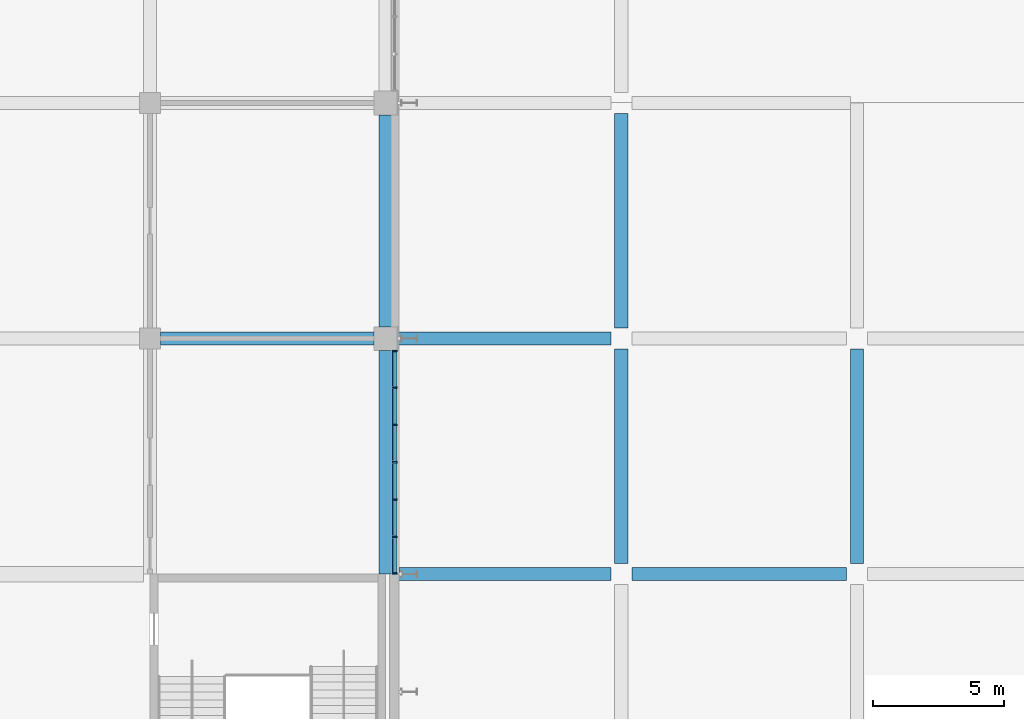
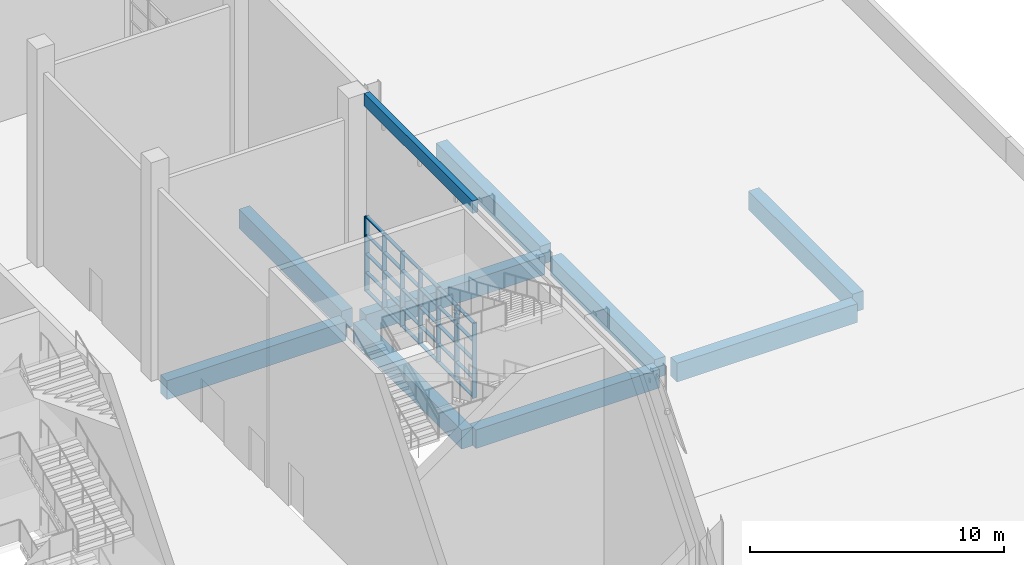
# One storey, part 54 of 182: 37 members, 10 beams, 1 element without a shape of its own.
"""IFC4 building model written with IfcOpenShell, lengths in metres."""

from ifc_helpers import new_model, si_unit, direction, frame, origin, origin_2d, place, context, subcontext, project, spatial, rectangle, extrude, material, material_profile, profile_set, type_object, element, aggregate, save


model = new_model("IFC4")

# Units and contexts
model_context = context("Model", 3, precision=1e-05, world=origin(), true_north=direction((0.0, 1.0)))
body_context = subcontext(model_context, "Body", "Model", "MODEL_VIEW")
ifc_project = project(units=[si_unit("LENGTHUNIT", "METRE"), si_unit("AREAUNIT", "SQUARE_METRE"), si_unit("VOLUMEUNIT", "CUBIC_METRE"), si_unit("PLANEANGLEUNIT", "RADIAN"), si_unit("MASSUNIT", "GRAM", prefix="KILO")], contexts=[model_context])

# Site, building, storey
site_placement = place(None, origin())
site = spatial("IfcSite", under=ifc_project, at=site_placement, CompositionType="ELEMENT")
building_placement = place(site_placement, origin())
building = spatial("IfcBuilding", under=site, at=building_placement, Name="Silverbay Arena", CompositionType="ELEMENT")
storey_placement = place(building_placement, frame((0.0, 0.0, 11.5)))
storey = spatial("IfcBuildingStorey", under=building, at=storey_placement, Name="L02", CompositionType="ELEMENT", Elevation=11.5)

# Curtain wall, members
ifc_material_1 = material(Name="Aluminium framed curtain wall", Category="aluminium")
curtain_wall_type = type_object("IfcCurtainWallType", Name="Curtain wall 8550 x 3600", PredefinedType="NOTDEFINED", material=ifc_material_1)
curtain_wall_placement = place(storey_placement, origin())
curtain_wall = element("IfcCurtainWall", 1, at=curtain_wall_placement, inside=storey, type_object=curtain_wall_type, Name="East curtain wall L02 bay 11", PredefinedType="NOTDEFINED")
ifc_material_2 = material(Name="Aluminium", Category="aluminium")
ifc_material_profile_1 = material_profile(ifc_material_2, rectangle(XDim=0.199951171875, YDim=0.06005859375, at=origin_2d()), Name="Mullion 60 x 200")
ifc_profile_set_1 = profile_set([ifc_material_profile_1], Name="Aluminium")
member_type_1 = type_object("IfcMemberType", Name="Mullion 60 x 200", PredefinedType="MULLION", material=ifc_profile_set_1)
member_1_placement = place(storey_placement, frame((207.35009765625, 108.030029296875, 1.0), z_axis=(0.0, 0.0, 1.0), x_axis=(-1.0, 0.0, 0.0)))
member_1 = element("IfcMember", 2, at=member_1_placement, type_object=member_type_1, Name="CW10 mullion 1", PredefinedType="MULLION", context=body_context, shape_type="SweptSolid", body=[
    extrude(rectangle(XDim=0.199951171875, YDim=0.06005859375, at=origin_2d()), origin(), (0.0, 0.0, 1.0), 3.60009765625),
])
member_2_placement = place(storey_placement, frame((207.35009765625, 109.425048828125, 1.0), z_axis=(0.0, 0.0, 1.0), x_axis=(-1.0, 0.0, 0.0)))
member_2 = element("IfcMember", 3, at=member_2_placement, type_object=member_type_1, Name="CW10 mullion 2", PredefinedType="MULLION", context=body_context, shape_type="SweptSolid", body=[
    extrude(rectangle(XDim=0.199951171875, YDim=0.06005859375, at=origin_2d()), origin(), (0.0, 0.0, 1.0), 3.60009765625),
])
member_3_placement = place(storey_placement, frame((207.35009765625, 110.85009765625, 1.0), z_axis=(0.0, 0.0, 1.0), x_axis=(-1.0, 0.0, 0.0)))
member_3 = element("IfcMember", 4, at=member_3_placement, type_object=member_type_1, Name="CW10 mullion 3", PredefinedType="MULLION", context=body_context, shape_type="SweptSolid", body=[
    extrude(rectangle(XDim=0.199951171875, YDim=0.06005859375, at=origin_2d()), origin(), (0.0, 0.0, 1.0), 3.60009765625),
])
member_4_placement = place(storey_placement, frame((207.35009765625, 112.27490234375, 1.0), z_axis=(0.0, 0.0, 1.0), x_axis=(-1.0, 0.0, 0.0)))
member_4 = element("IfcMember", 5, at=member_4_placement, type_object=member_type_1, Name="CW10 mullion 4", PredefinedType="MULLION", context=body_context, shape_type="SweptSolid", body=[
    extrude(rectangle(XDim=0.199951171875, YDim=0.06005859375, at=origin_2d()), origin(), (0.0, 0.0, 1.0), 3.60009765625),
])
member_5_placement = place(storey_placement, frame((207.35009765625, 113.699951171875, 1.0), z_axis=(0.0, 0.0, 1.0), x_axis=(-1.0, 0.0, 0.0)))
member_5 = element("IfcMember", 6, at=member_5_placement, type_object=member_type_1, Name="CW10 mullion 5", PredefinedType="MULLION", context=body_context, shape_type="SweptSolid", body=[
    extrude(rectangle(XDim=0.199951171875, YDim=0.06005859375, at=origin_2d()), origin(), (0.0, 0.0, 1.0), 3.60009765625),
])
member_6_placement = place(storey_placement, frame((207.35009765625, 115.125, 1.0), z_axis=(0.0, 0.0, 1.0), x_axis=(-1.0, 0.0, 0.0)))
member_6 = element("IfcMember", 7, at=member_6_placement, type_object=member_type_1, Name="CW10 mullion 6", PredefinedType="MULLION", context=body_context, shape_type="SweptSolid", body=[
    extrude(rectangle(XDim=0.199951171875, YDim=0.06005859375, at=origin_2d()), origin(), (0.0, 0.0, 1.0), 3.60009765625),
])
member_7_placement = place(storey_placement, frame((207.35009765625, 116.52001953125, 1.0), z_axis=(0.0, 0.0, 1.0), x_axis=(-1.0, 0.0, 0.0)))
member_7 = element("IfcMember", 8, at=member_7_placement, type_object=member_type_1, Name="CW10 mullion 7", PredefinedType="MULLION", context=body_context, shape_type="SweptSolid", body=[
    extrude(rectangle(XDim=0.199951171875, YDim=0.06005859375, at=origin_2d()), origin(), (0.0, 0.0, 1.0), 3.60009765625),
])

# Beams
ifc_material_3 = material(Name="Concrete Grade C45", Category="concrete")
ifc_material_profile_2 = material_profile(ifc_material_3, rectangle(XDim=0.5, YDim=0.89990234375, at=origin_2d()), Name="RC 500x900")
ifc_profile_set_2 = profile_set([ifc_material_profile_2], Name="Concrete Grade C45")
beam_type_1 = type_object("IfcBeamType", Name="RC beam 500x900", PredefinedType="BEAM", material=ifc_profile_set_2)
beam_1_placement = place(storey_placement, frame((207.25, 108.0, -0.800048828125), z_axis=(1.0, 0.0, 0.0), x_axis=(0.0, 1.0, 0.0)))
element("IfcBeam", 9, at=beam_1_placement, inside=storey, type_object=beam_type_1, Name="Floor beam L02 133", PredefinedType="BEAM", context=body_context, shape_type="SweptSolid", body=[
    extrude(rectangle(XDim=0.5, YDim=0.89990234375, at=origin_2d()), origin(), (0.0, 0.0, 1.0), 8.35009765625),
])
beam_2_placement = place(storey_placement, frame((216.39990234375, 108.0, -0.800048828125), z_axis=(1.0, 0.0, 0.0), x_axis=(0.0, 1.0, 0.0)))
element("IfcBeam", 10, at=beam_2_placement, inside=storey, type_object=beam_type_1, Name="Floor beam L02 134", PredefinedType="BEAM", context=body_context, shape_type="SweptSolid", body=[
    extrude(rectangle(XDim=0.5, YDim=0.89990234375, at=origin_2d()), origin(), (0.0, 0.0, 1.0), 8.2001953125),
])
for number, where, z_axis, x_axis, name in (
    (11, (198.39990234375, 117.0, -0.800048828125), (1.0, 0.0, 0.0), (0.0, 1.0, 0.0), "Floor beam L02 151"),
    (12, (207.449951171875, 117.0, -0.800048828125), (1.0, 0.0, 0.0), (0.0, 1.0, 0.0), "Floor beam L02 152"),
):
    element("IfcBeam", number, at=place(storey_placement, frame(where, z_axis=z_axis, x_axis=x_axis)), inside=storey, type_object=beam_type_1, Name=name, PredefinedType="BEAM", context=body_context, shape_type="SweptSolid", body=[
        extrude(rectangle(XDim=0.5, YDim=0.89990234375, at=origin_2d()), origin(), (0.0, 0.0, 1.0), 8.150146484375),
    ])
beam_3_placement = place(storey_placement, frame((207.0, 108.0, -0.800048828125), z_axis=(0.0, 1.0, 0.0), x_axis=(-1.0, 0.0, 0.0)))
element("IfcBeam", 13, at=beam_3_placement, inside=storey, type_object=beam_type_1, Name="Floor beam L02 328", PredefinedType="BEAM", context=body_context, shape_type="SweptSolid", body=[
    extrude(rectangle(XDim=0.5, YDim=0.89990234375, at=origin_2d()), origin(), (0.0, 0.0, 1.0), 8.550048828125),
])
beam_4_placement = place(storey_placement, frame((207.0, 117.449951171875, -0.800048828125), z_axis=(0.0, 1.0, 0.0), x_axis=(-1.0, 0.0, 0.0)))
element("IfcBeam", 14, at=beam_4_placement, inside=storey, type_object=beam_type_1, Name="Floor beam L02 329", PredefinedType="BEAM", context=body_context, shape_type="SweptSolid", body=[
    extrude(rectangle(XDim=0.5, YDim=0.89990234375, at=origin_2d()), origin(), (0.0, 0.0, 1.0), 8.10009765625),
])
for number, where, z_axis, x_axis, name in (
    (15, (216.0, 108.39990234375, -0.800048828125), (0.0, 1.0, 0.0), (-1.0, 0.0, 0.0), "Floor beam L02 341"),
    (16, (216.0, 117.39990234375, -0.800048828125), (0.0, 1.0, 0.0), (-1.0, 0.0, 0.0), "Floor beam L02 342"),
    (17, (225.0, 108.39990234375, -0.800048828125), (0.0, 1.0, 0.0), (-1.0, 0.0, 0.0), "Floor beam L02 353"),
):
    element("IfcBeam", number, at=place(storey_placement, frame(where, z_axis=z_axis, x_axis=x_axis)), inside=storey, type_object=beam_type_1, Name=name, PredefinedType="BEAM", context=body_context, shape_type="SweptSolid", body=[
        extrude(rectangle(XDim=0.5, YDim=0.89990234375, at=origin_2d()), origin(), (0.0, 0.0, 1.0), 8.2001953125),
    ])
ifc_material_4 = material(Name="Concrete Grade C45", Category="concrete")
ifc_material_profile_3 = material_profile(ifc_material_4, rectangle(XDim=0.25, YDim=0.60009765625, at=origin_2d()), Name="RC 250x600")
ifc_profile_set_3 = profile_set([ifc_material_profile_3], Name="Concrete Grade C45")
beam_type_2 = type_object("IfcBeamType", Name="RC facade beam 250x600", PredefinedType="SPANDREL", material=ifc_profile_set_3)
beam_5_placement = place(storey_placement, frame((207.375, 108.0, 10.199951171875), z_axis=(0.0, 1.0, 0.0), x_axis=(-1.0, 0.0, 0.0)))
element("IfcBeam", 18, at=beam_5_placement, inside=storey, type_object=beam_type_2, Name="Facade beam L02 east", PredefinedType="SPANDREL", context=body_context, shape_type="SweptSolid", body=[
    extrude(rectangle(XDim=0.25, YDim=0.60009765625, at=origin_2d()), origin(), (0.0, 0.0, 1.0), 8.550048828125),
])

# Member
ifc_material_5 = material(Name="Aluminium", Category="aluminium")
ifc_material_profile_4 = material_profile(ifc_material_5, rectangle(XDim=0.14990234375, YDim=0.050048828125, at=origin_2d()), Name="Transom 50 x 150")
ifc_profile_set_4 = profile_set([ifc_material_profile_4], Name="Aluminium")
member_type_2 = type_object("IfcMemberType", Name="Transom 50 x 150", PredefinedType="USERDEFINED", material=ifc_profile_set_4)
member_8_placement = place(storey_placement, frame((207.35009765625, 108.06005859375, 1.02490234375), z_axis=(0.0, 1.0, 0.0), x_axis=(-1.0, 0.0, 0.0)))
member_8 = element("IfcMember", 19, at=member_8_placement, type_object=member_type_2, Name="CW10 transom 1.1", ObjectType="TRANSOM", PredefinedType="USERDEFINED", context=body_context, shape_type="SweptSolid", body=[
    extrude(rectangle(XDim=0.14990234375, YDim=0.050048828125, at=origin_2d()), origin(), (0.0, 0.0, 1.0), 1.3349609375),
])

member_9_placement = place(storey_placement, frame((207.35009765625, 108.06005859375, 1.89990234375), z_axis=(0.0, 1.0, 0.0), x_axis=(-1.0, 0.0, 0.0)))
member_9 = element("IfcMember", 20, at=member_9_placement, type_object=member_type_2, Name="CW10 transom 1.2", ObjectType="TRANSOM", PredefinedType="USERDEFINED", context=body_context, shape_type="SweptSolid", body=[
    extrude(rectangle(XDim=0.14990234375, YDim=0.050048828125, at=origin_2d()), origin(), (0.0, 0.0, 1.0), 1.3349609375),
])

member_10_placement = place(storey_placement, frame((207.35009765625, 108.06005859375, 2.800048828125), z_axis=(0.0, 1.0, 0.0), x_axis=(-1.0, 0.0, 0.0)))
member_10 = element("IfcMember", 21, at=member_10_placement, type_object=member_type_2, Name="CW10 transom 1.3", ObjectType="TRANSOM", PredefinedType="USERDEFINED", context=body_context, shape_type="SweptSolid", body=[
    extrude(rectangle(XDim=0.14990234375, YDim=0.050048828125, at=origin_2d()), origin(), (0.0, 0.0, 1.0), 1.3349609375),
])

member_11_placement = place(storey_placement, frame((207.35009765625, 108.06005859375, 3.699951171875), z_axis=(0.0, 1.0, 0.0), x_axis=(-1.0, 0.0, 0.0)))
member_11 = element("IfcMember", 22, at=member_11_placement, type_object=member_type_2, Name="CW10 transom 1.4", ObjectType="TRANSOM", PredefinedType="USERDEFINED", context=body_context, shape_type="SweptSolid", body=[
    extrude(rectangle(XDim=0.14990234375, YDim=0.050048828125, at=origin_2d()), origin(), (0.0, 0.0, 1.0), 1.3349609375),
])

member_12_placement = place(storey_placement, frame((207.35009765625, 108.06005859375, 4.574951171875), z_axis=(0.0, 1.0, 0.0), x_axis=(-1.0, 0.0, 0.0)))
member_12 = element("IfcMember", 23, at=member_12_placement, type_object=member_type_2, Name="CW10 transom 1.5", ObjectType="TRANSOM", PredefinedType="USERDEFINED", context=body_context, shape_type="SweptSolid", body=[
    extrude(rectangle(XDim=0.14990234375, YDim=0.050048828125, at=origin_2d()), origin(), (0.0, 0.0, 1.0), 1.3349609375),
])

member_13_placement = place(storey_placement, frame((207.35009765625, 109.455078125, 1.02490234375), z_axis=(0.0, 1.0, 0.0), x_axis=(-1.0, 0.0, 0.0)))
member_13 = element("IfcMember", 24, at=member_13_placement, type_object=member_type_2, Name="CW10 transom 2.1", ObjectType="TRANSOM", PredefinedType="USERDEFINED", context=body_context, shape_type="SweptSolid", body=[
    extrude(rectangle(XDim=0.14990234375, YDim=0.050048828125, at=origin_2d()), origin(), (0.0, 0.0, 1.0), 1.364990234375),
])

member_14_placement = place(storey_placement, frame((207.35009765625, 109.455078125, 1.89990234375), z_axis=(0.0, 1.0, 0.0), x_axis=(-1.0, 0.0, 0.0)))
member_14 = element("IfcMember", 25, at=member_14_placement, type_object=member_type_2, Name="CW10 transom 2.2", ObjectType="TRANSOM", PredefinedType="USERDEFINED", context=body_context, shape_type="SweptSolid", body=[
    extrude(rectangle(XDim=0.14990234375, YDim=0.050048828125, at=origin_2d()), origin(), (0.0, 0.0, 1.0), 1.364990234375),
])

member_15_placement = place(storey_placement, frame((207.35009765625, 109.455078125, 2.800048828125), z_axis=(0.0, 1.0, 0.0), x_axis=(-1.0, 0.0, 0.0)))
member_15 = element("IfcMember", 26, at=member_15_placement, type_object=member_type_2, Name="CW10 transom 2.3", ObjectType="TRANSOM", PredefinedType="USERDEFINED", context=body_context, shape_type="SweptSolid", body=[
    extrude(rectangle(XDim=0.14990234375, YDim=0.050048828125, at=origin_2d()), origin(), (0.0, 0.0, 1.0), 1.364990234375),
])

member_16_placement = place(storey_placement, frame((207.35009765625, 109.455078125, 3.699951171875), z_axis=(0.0, 1.0, 0.0), x_axis=(-1.0, 0.0, 0.0)))
member_16 = element("IfcMember", 27, at=member_16_placement, type_object=member_type_2, Name="CW10 transom 2.4", ObjectType="TRANSOM", PredefinedType="USERDEFINED", context=body_context, shape_type="SweptSolid", body=[
    extrude(rectangle(XDim=0.14990234375, YDim=0.050048828125, at=origin_2d()), origin(), (0.0, 0.0, 1.0), 1.364990234375),
])

member_17_placement = place(storey_placement, frame((207.35009765625, 109.455078125, 4.574951171875), z_axis=(0.0, 1.0, 0.0), x_axis=(-1.0, 0.0, 0.0)))
member_17 = element("IfcMember", 28, at=member_17_placement, type_object=member_type_2, Name="CW10 transom 2.5", ObjectType="TRANSOM", PredefinedType="USERDEFINED", context=body_context, shape_type="SweptSolid", body=[
    extrude(rectangle(XDim=0.14990234375, YDim=0.050048828125, at=origin_2d()), origin(), (0.0, 0.0, 1.0), 1.364990234375),
])

member_18_placement = place(storey_placement, frame((207.35009765625, 110.8798828125, 1.02490234375), z_axis=(0.0, 1.0, 0.0), x_axis=(-1.0, 0.0, 0.0)))
member_18 = element("IfcMember", 29, at=member_18_placement, type_object=member_type_2, Name="CW10 transom 3.1", ObjectType="TRANSOM", PredefinedType="USERDEFINED", context=body_context, shape_type="SweptSolid", body=[
    extrude(rectangle(XDim=0.14990234375, YDim=0.050048828125, at=origin_2d()), origin(), (0.0, 0.0, 1.0), 1.365234375),
])

member_19_placement = place(storey_placement, frame((207.35009765625, 110.8798828125, 1.89990234375), z_axis=(0.0, 1.0, 0.0), x_axis=(-1.0, 0.0, 0.0)))
member_19 = element("IfcMember", 30, at=member_19_placement, type_object=member_type_2, Name="CW10 transom 3.2", ObjectType="TRANSOM", PredefinedType="USERDEFINED", context=body_context, shape_type="SweptSolid", body=[
    extrude(rectangle(XDim=0.14990234375, YDim=0.050048828125, at=origin_2d()), origin(), (0.0, 0.0, 1.0), 1.365234375),
])

member_20_placement = place(storey_placement, frame((207.35009765625, 110.8798828125, 2.800048828125), z_axis=(0.0, 1.0, 0.0), x_axis=(-1.0, 0.0, 0.0)))
member_20 = element("IfcMember", 31, at=member_20_placement, type_object=member_type_2, Name="CW10 transom 3.3", ObjectType="TRANSOM", PredefinedType="USERDEFINED", context=body_context, shape_type="SweptSolid", body=[
    extrude(rectangle(XDim=0.14990234375, YDim=0.050048828125, at=origin_2d()), origin(), (0.0, 0.0, 1.0), 1.365234375),
])

member_21_placement = place(storey_placement, frame((207.35009765625, 110.8798828125, 3.699951171875), z_axis=(0.0, 1.0, 0.0), x_axis=(-1.0, 0.0, 0.0)))
member_21 = element("IfcMember", 32, at=member_21_placement, type_object=member_type_2, Name="CW10 transom 3.4", ObjectType="TRANSOM", PredefinedType="USERDEFINED", context=body_context, shape_type="SweptSolid", body=[
    extrude(rectangle(XDim=0.14990234375, YDim=0.050048828125, at=origin_2d()), origin(), (0.0, 0.0, 1.0), 1.365234375),
])

member_22_placement = place(storey_placement, frame((207.35009765625, 110.8798828125, 4.574951171875), z_axis=(0.0, 1.0, 0.0), x_axis=(-1.0, 0.0, 0.0)))
member_22 = element("IfcMember", 33, at=member_22_placement, type_object=member_type_2, Name="CW10 transom 3.5", ObjectType="TRANSOM", PredefinedType="USERDEFINED", context=body_context, shape_type="SweptSolid", body=[
    extrude(rectangle(XDim=0.14990234375, YDim=0.050048828125, at=origin_2d()), origin(), (0.0, 0.0, 1.0), 1.365234375),
])

member_23_placement = place(storey_placement, frame((207.35009765625, 112.304931640625, 1.02490234375), z_axis=(0.0, 1.0, 0.0), x_axis=(-1.0, 0.0, 0.0)))
member_23 = element("IfcMember", 34, at=member_23_placement, type_object=member_type_2, Name="CW10 transom 4.1", ObjectType="TRANSOM", PredefinedType="USERDEFINED", context=body_context, shape_type="SweptSolid", body=[
    extrude(rectangle(XDim=0.14990234375, YDim=0.050048828125, at=origin_2d()), origin(), (0.0, 0.0, 1.0), 1.364990234375),
])

member_24_placement = place(storey_placement, frame((207.35009765625, 112.304931640625, 1.89990234375), z_axis=(0.0, 1.0, 0.0), x_axis=(-1.0, 0.0, 0.0)))
member_24 = element("IfcMember", 35, at=member_24_placement, type_object=member_type_2, Name="CW10 transom 4.2", ObjectType="TRANSOM", PredefinedType="USERDEFINED", context=body_context, shape_type="SweptSolid", body=[
    extrude(rectangle(XDim=0.14990234375, YDim=0.050048828125, at=origin_2d()), origin(), (0.0, 0.0, 1.0), 1.364990234375),
])

member_25_placement = place(storey_placement, frame((207.35009765625, 112.304931640625, 2.800048828125), z_axis=(0.0, 1.0, 0.0), x_axis=(-1.0, 0.0, 0.0)))
member_25 = element("IfcMember", 36, at=member_25_placement, type_object=member_type_2, Name="CW10 transom 4.3", ObjectType="TRANSOM", PredefinedType="USERDEFINED", context=body_context, shape_type="SweptSolid", body=[
    extrude(rectangle(XDim=0.14990234375, YDim=0.050048828125, at=origin_2d()), origin(), (0.0, 0.0, 1.0), 1.364990234375),
])

member_26_placement = place(storey_placement, frame((207.35009765625, 112.304931640625, 3.699951171875), z_axis=(0.0, 1.0, 0.0), x_axis=(-1.0, 0.0, 0.0)))
member_26 = element("IfcMember", 37, at=member_26_placement, type_object=member_type_2, Name="CW10 transom 4.4", ObjectType="TRANSOM", PredefinedType="USERDEFINED", context=body_context, shape_type="SweptSolid", body=[
    extrude(rectangle(XDim=0.14990234375, YDim=0.050048828125, at=origin_2d()), origin(), (0.0, 0.0, 1.0), 1.364990234375),
])

member_27_placement = place(storey_placement, frame((207.35009765625, 112.304931640625, 4.574951171875), z_axis=(0.0, 1.0, 0.0), x_axis=(-1.0, 0.0, 0.0)))
member_27 = element("IfcMember", 38, at=member_27_placement, type_object=member_type_2, Name="CW10 transom 4.5", ObjectType="TRANSOM", PredefinedType="USERDEFINED", context=body_context, shape_type="SweptSolid", body=[
    extrude(rectangle(XDim=0.14990234375, YDim=0.050048828125, at=origin_2d()), origin(), (0.0, 0.0, 1.0), 1.364990234375),
])

member_28_placement = place(storey_placement, frame((207.35009765625, 113.72998046875, 1.02490234375), z_axis=(0.0, 1.0, 0.0), x_axis=(-1.0, 0.0, 0.0)))
member_28 = element("IfcMember", 39, at=member_28_placement, type_object=member_type_2, Name="CW10 transom 5.1", ObjectType="TRANSOM", PredefinedType="USERDEFINED", context=body_context, shape_type="SweptSolid", body=[
    extrude(rectangle(XDim=0.14990234375, YDim=0.050048828125, at=origin_2d()), origin(), (0.0, 0.0, 1.0), 1.364990234375),
])

member_29_placement = place(storey_placement, frame((207.35009765625, 113.72998046875, 1.89990234375), z_axis=(0.0, 1.0, 0.0), x_axis=(-1.0, 0.0, 0.0)))
member_29 = element("IfcMember", 40, at=member_29_placement, type_object=member_type_2, Name="CW10 transom 5.2", ObjectType="TRANSOM", PredefinedType="USERDEFINED", context=body_context, shape_type="SweptSolid", body=[
    extrude(rectangle(XDim=0.14990234375, YDim=0.050048828125, at=origin_2d()), origin(), (0.0, 0.0, 1.0), 1.364990234375),
])

member_30_placement = place(storey_placement, frame((207.35009765625, 113.72998046875, 2.800048828125), z_axis=(0.0, 1.0, 0.0), x_axis=(-1.0, 0.0, 0.0)))
member_30 = element("IfcMember", 41, at=member_30_placement, type_object=member_type_2, Name="CW10 transom 5.3", ObjectType="TRANSOM", PredefinedType="USERDEFINED", context=body_context, shape_type="SweptSolid", body=[
    extrude(rectangle(XDim=0.14990234375, YDim=0.050048828125, at=origin_2d()), origin(), (0.0, 0.0, 1.0), 1.364990234375),
])

member_31_placement = place(storey_placement, frame((207.35009765625, 113.72998046875, 3.699951171875), z_axis=(0.0, 1.0, 0.0), x_axis=(-1.0, 0.0, 0.0)))
member_31 = element("IfcMember", 42, at=member_31_placement, type_object=member_type_2, Name="CW10 transom 5.4", ObjectType="TRANSOM", PredefinedType="USERDEFINED", context=body_context, shape_type="SweptSolid", body=[
    extrude(rectangle(XDim=0.14990234375, YDim=0.050048828125, at=origin_2d()), origin(), (0.0, 0.0, 1.0), 1.364990234375),
])

member_32_placement = place(storey_placement, frame((207.35009765625, 113.72998046875, 4.574951171875), z_axis=(0.0, 1.0, 0.0), x_axis=(-1.0, 0.0, 0.0)))
member_32 = element("IfcMember", 43, at=member_32_placement, type_object=member_type_2, Name="CW10 transom 5.5", ObjectType="TRANSOM", PredefinedType="USERDEFINED", context=body_context, shape_type="SweptSolid", body=[
    extrude(rectangle(XDim=0.14990234375, YDim=0.050048828125, at=origin_2d()), origin(), (0.0, 0.0, 1.0), 1.364990234375),
])

member_33_placement = place(storey_placement, frame((207.35009765625, 115.155029296875, 1.02490234375), z_axis=(0.0, 1.0, 0.0), x_axis=(-1.0, 0.0, 0.0)))
member_33 = element("IfcMember", 44, at=member_33_placement, type_object=member_type_2, Name="CW10 transom 6.1", ObjectType="TRANSOM", PredefinedType="USERDEFINED", context=body_context, shape_type="SweptSolid", body=[
    extrude(rectangle(XDim=0.14990234375, YDim=0.050048828125, at=origin_2d()), origin(), (0.0, 0.0, 1.0), 1.3349609375),
])

member_34_placement = place(storey_placement, frame((207.35009765625, 115.155029296875, 1.89990234375), z_axis=(0.0, 1.0, 0.0), x_axis=(-1.0, 0.0, 0.0)))
member_34 = element("IfcMember", 45, at=member_34_placement, type_object=member_type_2, Name="CW10 transom 6.2", ObjectType="TRANSOM", PredefinedType="USERDEFINED", context=body_context, shape_type="SweptSolid", body=[
    extrude(rectangle(XDim=0.14990234375, YDim=0.050048828125, at=origin_2d()), origin(), (0.0, 0.0, 1.0), 1.3349609375),
])

member_35_placement = place(storey_placement, frame((207.35009765625, 115.155029296875, 2.800048828125), z_axis=(0.0, 1.0, 0.0), x_axis=(-1.0, 0.0, 0.0)))
member_35 = element("IfcMember", 46, at=member_35_placement, type_object=member_type_2, Name="CW10 transom 6.3", ObjectType="TRANSOM", PredefinedType="USERDEFINED", context=body_context, shape_type="SweptSolid", body=[
    extrude(rectangle(XDim=0.14990234375, YDim=0.050048828125, at=origin_2d()), origin(), (0.0, 0.0, 1.0), 1.3349609375),
])

member_36_placement = place(storey_placement, frame((207.35009765625, 115.155029296875, 3.699951171875), z_axis=(0.0, 1.0, 0.0), x_axis=(-1.0, 0.0, 0.0)))
member_36 = element("IfcMember", 47, at=member_36_placement, type_object=member_type_2, Name="CW10 transom 6.4", ObjectType="TRANSOM", PredefinedType="USERDEFINED", context=body_context, shape_type="SweptSolid", body=[
    extrude(rectangle(XDim=0.14990234375, YDim=0.050048828125, at=origin_2d()), origin(), (0.0, 0.0, 1.0), 1.3349609375),
])

member_37_placement = place(storey_placement, frame((207.35009765625, 115.155029296875, 4.574951171875), z_axis=(0.0, 1.0, 0.0), x_axis=(-1.0, 0.0, 0.0)))
member_37 = element("IfcMember", 48, at=member_37_placement, type_object=member_type_2, Name="CW10 transom 6.5", ObjectType="TRANSOM", PredefinedType="USERDEFINED", context=body_context, shape_type="SweptSolid", body=[
    extrude(rectangle(XDim=0.14990234375, YDim=0.050048828125, at=origin_2d()), origin(), (0.0, 0.0, 1.0), 1.3349609375),
])

aggregate(curtain_wall, [member_1, member_2, member_3, member_4, member_5, member_6, member_7, member_8, member_9, member_10, member_11, member_12, member_13, member_14, member_15, member_16, member_17, member_18, member_19, member_20, member_21, member_22, member_23, member_24, member_25, member_26, member_27, member_28, member_29, member_30, member_31, member_32, member_33, member_34, member_35, member_36, member_37])

save(model, "model.ifc")
